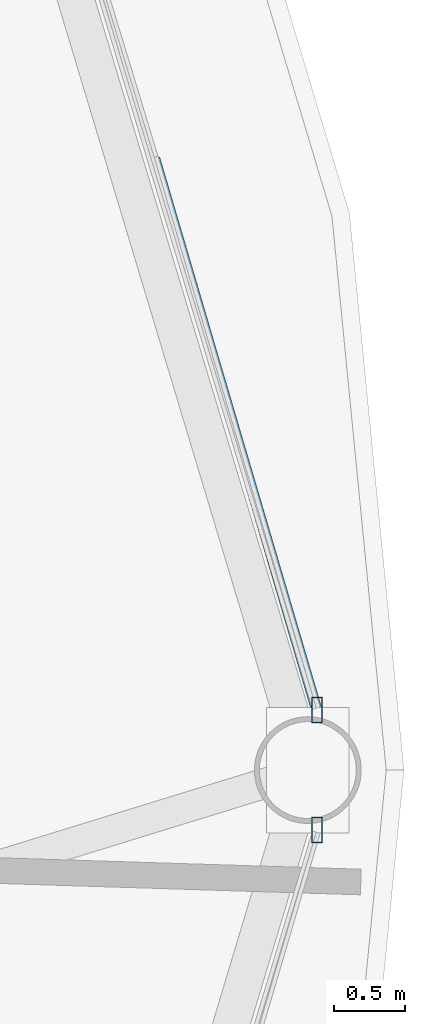
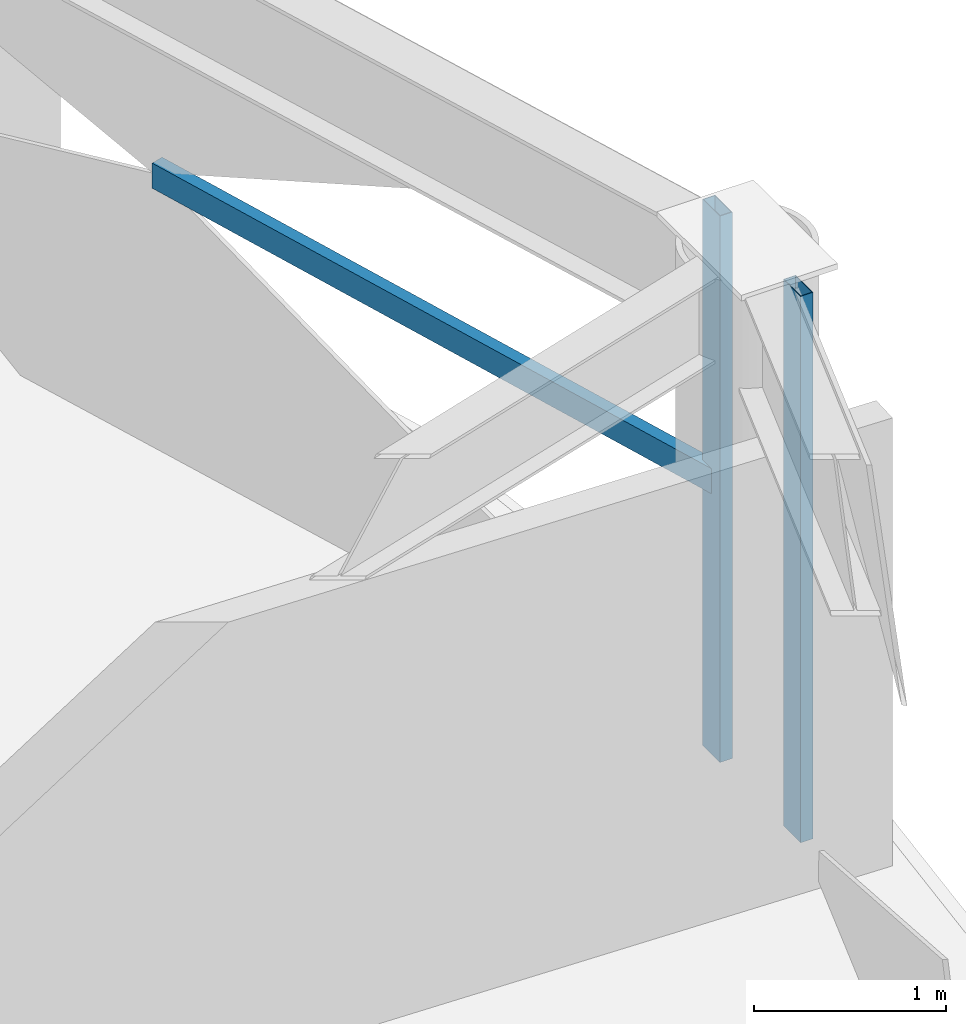
# One storey, part 13 of 29: 3 members, 2 elements without a shape of their own.
"""IFC4 building model written with IfcOpenShell, lengths in metres."""

from ifc_helpers import new_model, si_unit, direction, frame, origin, origin_2d, place, context, subcontext, project, spatial, hollow_rectangle, extrude, material, layer, layer_set, material_profile, profile_set, type_object, element, aggregate, save


model = new_model("IFC4")

# Units and contexts
model_context = context("Model", 3, precision=1e-05, world=origin(), true_north=direction((0.0, 1.0)))
body_context = subcontext(model_context, "Body", "Model", "MODEL_VIEW")
ifc_project = project(units=[si_unit("LENGTHUNIT", "METRE"), si_unit("AREAUNIT", "SQUARE_METRE"), si_unit("VOLUMEUNIT", "CUBIC_METRE"), si_unit("PLANEANGLEUNIT", "RADIAN"), si_unit("MASSUNIT", "GRAM", prefix="KILO")], contexts=[model_context])

# Site, building, storey
site_placement = place(None, origin())
site = spatial("IfcSite", under=ifc_project, at=site_placement, CompositionType="ELEMENT")
building_placement = place(site_placement, origin())
building = spatial("IfcBuilding", under=site, at=building_placement, Name="Vantalir Tower", CompositionType="ELEMENT")
storey_placement = place(building_placement, frame((0.0, 0.0, 168.449951171875)))
storey = spatial("IfcBuildingStorey", under=building, at=storey_placement, Name="L42", CompositionType="ELEMENT", Elevation=168.449951171875)

# Curtain wall, member
ifc_material_1 = material(Name="Champagne-silver PVDF aluminium and double-silver Low-E glass", Category="aluminium")
ifc_layer = layer(ifc_material_1, 0.199951171875)
ifc_layer_set = layer_set([ifc_layer], Name="Champagne-silver PVDF aluminium and double-silver Low-E glass")
curtain_wall_type = type_object("IfcCurtainWallType", Name="CW-DIAMOND-Z2", PredefinedType="USERDEFINED", material=ifc_layer_set)
curtain_wall_1_placement = place(storey_placement, origin())
curtain_wall_1 = element("IfcCurtainWall", 1, at=curtain_wall_1_placement, inside=storey, type_object=curtain_wall_type, Name="L42 Quilted Pyramid-Diamond Curtain Wall S01", ObjectType="UNITISED CURTAIN WALL", PredefinedType="USERDEFINED")
ifc_material_2 = material(Name="Champagne-silver PVDF aluminium 6063-T6", Category="aluminium")
ifc_material_profile_1 = material_profile(ifc_material_2, hollow_rectangle(XDim=0.074951171875, YDim=0.179931640625, WallThickness=0.00390625, at=origin_2d()), Name="Champagne-silver PVDF aluminium 6063-T6")
ifc_profile_set_1 = profile_set([ifc_material_profile_1], Name="Champagne-silver PVDF aluminium 6063-T6")
member_type_1 = type_object("IfcMemberType", Name="CWM-180x75", PredefinedType="MULLION", material=ifc_profile_set_1)
member_1_placement = place(storey_placement, frame((56.09912109375, 25.4208984375, 0.045166015625), z_axis=(0.0, 0.0, 1.0), x_axis=(1.0, 0.0, 0.0)))
member_1 = element("IfcMember", 2, at=member_1_placement, type_object=member_type_1, Name="CW-L42-S01 Mullion 1", PredefinedType="MULLION", context=body_context, shape_type="SweptSolid", body=[
    extrude(hollow_rectangle(XDim=0.074951171875, YDim=0.179931640625, WallThickness=0.00390625, at=origin_2d()), origin(), (0.0, 0.0, 1.0), 3.47998046875),
])

curtain_wall_2_placement = place(storey_placement, origin())
curtain_wall_2 = element("IfcCurtainWall", 3, at=curtain_wall_2_placement, inside=storey, type_object=curtain_wall_type, Name="L42 Quilted Pyramid-Diamond Curtain Wall S12", ObjectType="UNITISED CURTAIN WALL", PredefinedType="USERDEFINED")
member_2_placement = place(storey_placement, frame((56.09912109375, 24.5791015625, 0.045166015625), z_axis=(0.0, 0.0, 1.0), x_axis=(1.0, 0.0, 0.0)))
member_2 = element("IfcMember", 4, at=member_2_placement, type_object=member_type_1, Name="CW-L42-S12 Mullion 2", PredefinedType="MULLION", context=body_context, shape_type="SweptSolid", body=[
    extrude(hollow_rectangle(XDim=0.074951171875, YDim=0.179931640625, WallThickness=0.00390625, at=origin_2d()), origin(), (0.0, 0.0, 1.0), 3.47998046875),
])
aggregate(curtain_wall_2, [member_2])

# Member
ifc_material_profile_2 = material_profile(ifc_material_2, hollow_rectangle(XDim=0.074951171875, YDim=0.159912109375, WallThickness=0.00390625, at=origin_2d()), Name="Champagne-silver PVDF aluminium 6063-T6")
ifc_profile_set_2 = profile_set([ifc_material_profile_2], Name="Champagne-silver PVDF aluminium 6063-T6")
member_type_2 = type_object("IfcMemberType", Name="CWT-160x75", PredefinedType="USERDEFINED", material=ifc_profile_set_2)
member_3_placement = place(storey_placement, frame((56.09912109375, 25.4208984375, 1.78515625), z_axis=(-0.28223836976, 0.9593443087, 0.0), x_axis=(-0.9593443087, -0.28223836976, 0.0)))
member_3 = element("IfcMember", 5, at=member_3_placement, type_object=member_type_2, Name="CW-L42-S01 Pyramid Fold Ridge Transom", ObjectType="TRANSOM", PredefinedType="USERDEFINED", context=body_context, shape_type="SweptSolid", body=[
    extrude(hollow_rectangle(XDim=0.074951171875, YDim=0.159912109375, WallThickness=0.00390625, at=origin_2d()), origin(), (0.0, 0.0, 1.0), 4.0361328125),
])

aggregate(curtain_wall_1, [member_1, member_3])

save(model, "model.ifc")
